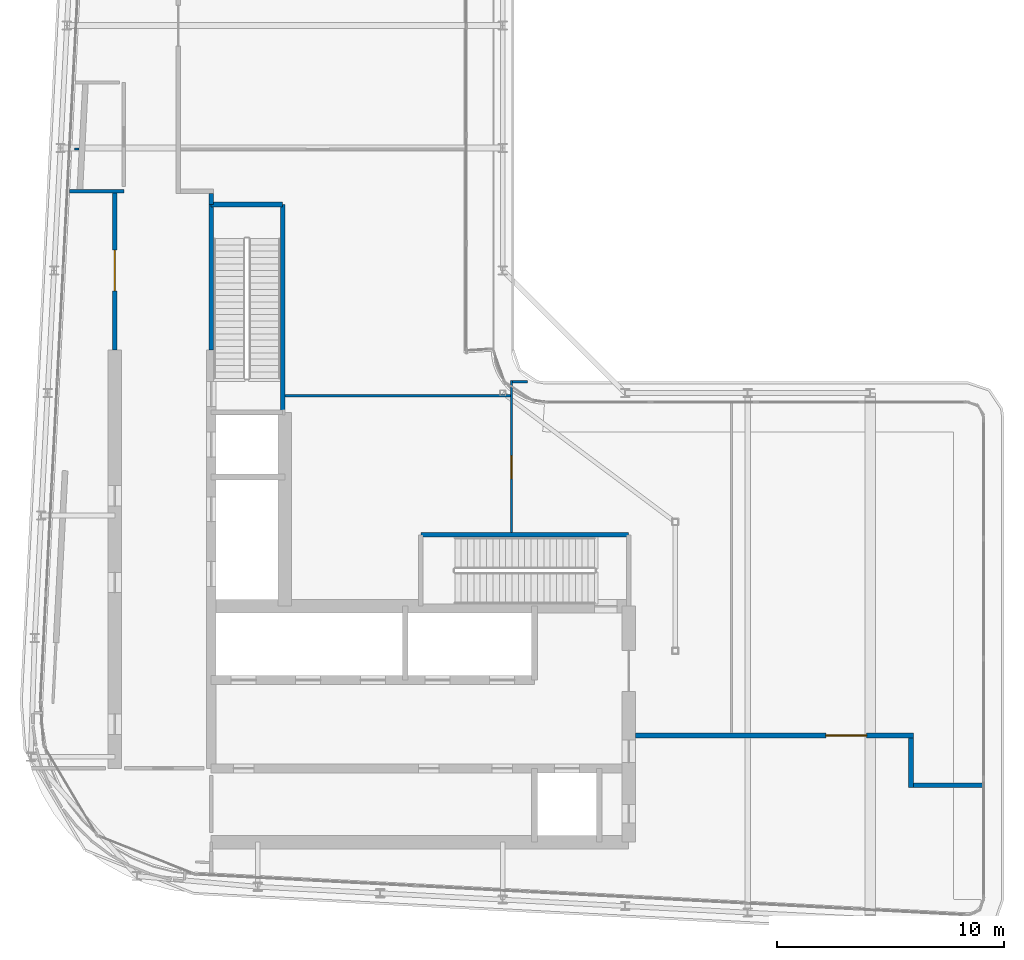
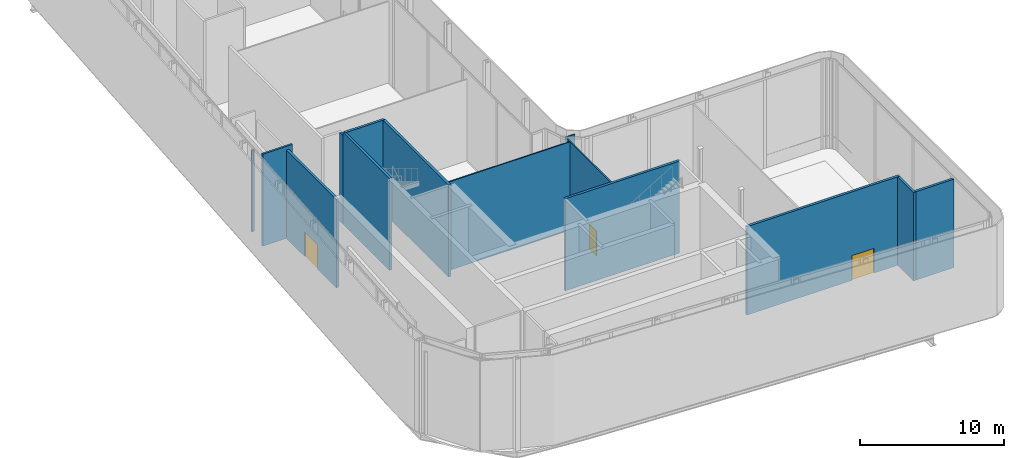
# One storey, part 22 of 28: 14 walls, 3 doors, 3 openings.
"""IFC4 building model written with IfcOpenShell, lengths in metres."""

from ifc_helpers import new_model, si_unit, direction, frame, frame_2d, origin, place, context, subcontext, project, spatial, rectangle, extrude, source, transform, mapped, material, layer, layer_set, type_object, element, fill, save


model = new_model("IFC4")

# Units and contexts
model_context = context("Model", 3, precision=1e-05, world=origin(), true_north=direction((0.0, 1.0)))
body_context = subcontext(model_context, "Body", "Model", "MODEL_VIEW")
ifc_project = project(units=[si_unit("LENGTHUNIT", "METRE"), si_unit("AREAUNIT", "SQUARE_METRE"), si_unit("VOLUMEUNIT", "CUBIC_METRE"), si_unit("PLANEANGLEUNIT", "RADIAN"), si_unit("MASSUNIT", "GRAM", prefix="KILO")], contexts=[model_context])

# Site, building, storey
site_placement = place(None, origin())
site = spatial("IfcSite", under=ifc_project, at=site_placement, CompositionType="ELEMENT")
building_placement = place(site_placement, origin())
building = spatial("IfcBuilding", under=site, at=building_placement, Name="Kheshtan School and Residences Tower", CompositionType="ELEMENT")
storey_placement = place(building_placement, frame((0.0, 0.0, 325.39990234375)))
storey = spatial("IfcBuildingStorey", under=building, at=storey_placement, Name="L77", CompositionType="ELEMENT", Elevation=325.39990234375)

# Wall, opening, door
ifc_material_1 = material(Name="Gypsum board on steel studs with fire boards", Category="steel")
ifc_layer_1 = layer(ifc_material_1, 0.199951171875)
ifc_layer_set_1 = layer_set([ifc_layer_1], Name="Corridor wall 200")
wall_type_1 = type_object("IfcWallType", Name="Corridor wall 200", PredefinedType="PARTITIONING", material=ifc_layer_set_1)
wall_1_placement = place(storey_placement, frame((30.5, 47.5, 0.0), z_axis=(0.0, 0.0, 1.0), x_axis=(0.0, 1.0, 0.0)))
wall_1 = element("IfcWall", 1, at=wall_1_placement, inside=storey, type_object=wall_type_1, Name="Partition L77-018", PredefinedType="PARTITIONING", context=body_context, shape_type="SweptSolid", body=[
    extrude(rectangle(XDim=6.926025390625, YDim=0.199951171875, at=frame_2d((3.462890625, 0.0))), origin(), (0.0, 0.0, 1.0), 7.5),
])
opening_1_placement = place(wall_1_placement, frame((2.60009765625, 0.0, 0.0)))
opening_1 = element("IfcOpeningElement", 2, at=opening_1_placement, cuts=wall_1, Name="Opening D77-003", PredefinedType="OPENING", context=body_context, shape_type="SweptSolid", body=[
    extrude(rectangle(XDim=1.800048828125, YDim=2.10009765625, at=frame_2d((0.89990234375, 1.050048828125))), frame((0.0, 0.10986328125, 0.0), z_axis=(0.0, -1.0, 0.0), x_axis=(1.0, 0.0, 0.0)), (0.0, 0.0, 1.0), 0.219970703125),
])
ifc_material_2 = material(Name="Steel-framed fire-resisting door leaf", Category="steel")
door_type_1 = type_object("IfcDoorType", Name="Fire double door FD60 1800 x 2100", OperationType="DOUBLE_DOOR_SINGLE_SWING", PredefinedType="DOOR", material=ifc_material_2)
shared_shape_1 = source(origin(), body_context, "Body", "SweptSolid", [
    extrude(rectangle(XDim=1.800048828125, YDim=2.10009765625, at=frame_2d((0.89990234375, 1.050048828125))), frame((0.0, 0.02490234375, 0.0), z_axis=(0.0, -1.0, 0.0), x_axis=(1.0, 0.0, 0.0)), (0.0, 0.0, 1.0), 0.050048828125),
])
door_1_placement = place(opening_1_placement, origin())
door_1 = element("IfcDoor", 3, at=door_1_placement, inside=storey, type_object=door_type_1, Name="Door D77-003", OperationType="DOUBLE_DOOR_SINGLE_SWING", OverallHeight=2.10009765625, OverallWidth=1.800048828125, PredefinedType="DOOR", context=body_context, shape_type="MappedRepresentation", body=[
    mapped(shared_shape_1, transform((0.0, 0.0, 0.0), x_axis=(1.0, 0.0, 0.0), y_axis=(0.0, 1.0, 0.0), z_axis=(0.0, 0.0, 1.0), scale=1.0)),
])
fill(opening_1, door_1)

# Wall
wall_2_placement = place(storey_placement, frame((34.75, 53.909912109375, 0.0), z_axis=(0.0, 0.0, 1.0), x_axis=(0.0, 1.0, 0.0)))
element("IfcWall", 4, at=wall_2_placement, inside=storey, type_object=wall_type_1, Name="Partition L77-038", PredefinedType="PARTITIONING", context=body_context, shape_type="SweptSolid", body=[
    extrude(rectangle(XDim=0.489990234375, YDim=0.199951171875, at=frame_2d((0.2451171875, 0.0))), origin(), (0.0, 0.0, 1.0), 7.5),
])

# Wall, opening, door
wall_3_placement = place(storey_placement, frame((53.448974609375, 30.5, 0.0), z_axis=(0.0, 0.0, 1.0), x_axis=(1.0, 0.0, 0.0)))
wall_3 = element("IfcWall", 5, at=wall_3_placement, inside=storey, type_object=wall_type_1, Name="Partition L77-043", PredefinedType="PARTITIONING", context=body_context, shape_type="SweptSolid", body=[
    extrude(rectangle(XDim=12.2509765625, YDim=0.199951171875, at=frame_2d((6.12548828125, 0.0))), origin(), (0.0, 0.0, 1.0), 7.5),
])
opening_2_placement = place(wall_3_placement, frame((8.39306640625, 0.0, 0.0)))
opening_2 = element("IfcOpeningElement", 6, at=opening_2_placement, cuts=wall_3, Name="Opening D77-002", PredefinedType="OPENING", context=body_context, shape_type="SweptSolid", body=[
    extrude(rectangle(XDim=1.800048828125, YDim=2.10009765625, at=frame_2d((0.89990234375, 1.050048828125))), frame((0.0, 0.10986328125, 0.0), z_axis=(0.0, -1.0, 0.0), x_axis=(1.0, 0.0, 0.0)), (0.0, 0.0, 1.0), 0.219970703125),
])
door_2_placement = place(opening_2_placement, origin())
door_2 = element("IfcDoor", 7, at=door_2_placement, inside=storey, type_object=door_type_1, Name="Door D77-002", OperationType="DOUBLE_DOOR_SINGLE_SWING", OverallHeight=2.10009765625, OverallWidth=1.800048828125, PredefinedType="DOOR", context=body_context, shape_type="MappedRepresentation", body=[
    mapped(shared_shape_1, transform((0.0, 0.0, 0.0), x_axis=(1.0, 0.0, 0.0), y_axis=(0.0, 1.0, 0.0), z_axis=(0.0, 0.0, 1.0), scale=1.0)),
])
fill(opening_2, door_2)

# Walls
wall_4_placement = place(storey_placement, frame((65.60009765625, 28.199951171875, 0.0), z_axis=(0.0, 0.0, 1.0), x_axis=(0.0, 1.0, 0.0)))
element("IfcWall", 8, at=wall_4_placement, inside=storey, type_object=wall_type_1, Name="Partition L77-045", PredefinedType="PARTITIONING", context=body_context, shape_type="SweptSolid", body=[
    extrude(rectangle(XDim=2.199951171875, YDim=0.199951171875, at=frame_2d((1.10009765625, 0.0))), origin(), (0.0, 0.0, 1.0), 7.5),
])
wall_5_placement = place(storey_placement, frame((65.699951171875, 28.300048828125, 0.0), z_axis=(0.0, 0.0, 1.0), x_axis=(1.0, 0.0, 0.0)))
element("IfcWall", 9, at=wall_5_placement, inside=storey, type_object=wall_type_1, Name="Partition L77-046", PredefinedType="PARTITIONING", context=body_context, shape_type="SweptSolid", body=[
    extrude(rectangle(XDim=3.070068359375, YDim=0.199951171875, at=frame_2d((1.53515625, 0.0))), origin(), (0.0, 0.0, 1.0), 7.5),
])
ifc_material_3 = material(Name="Gypsum board on steel studs", Category="steel")
ifc_layer_2 = layer(ifc_material_3, 0.10009765625)
ifc_layer_set_2 = layer_set([ifc_layer_2], Name="Gypsum partition 100")
wall_type_2 = type_object("IfcWallType", Name="Gypsum partition 100", PredefinedType="PARTITIONING", material=ifc_layer_set_2)
wall_6_placement = place(storey_placement, frame((28.72412109375, 56.35302734375, 0.0), z_axis=(0.0, 0.0, 1.0), x_axis=(1.0, 0.0, 0.0)))
element("IfcWall", 10, at=wall_6_placement, inside=storey, type_object=wall_type_2, Name="Partition L77-012", PredefinedType="PARTITIONING", context=body_context, shape_type="SweptSolid", body=[
    extrude(rectangle(XDim=0.204833984375, YDim=0.10009765625, at=frame_2d((0.1025390625, 0.0))), origin(), (0.0, 0.0, 1.0), 6.897216796875),
])
wall_7_placement = place(storey_placement, frame((37.9990234375, 45.472900390625, 0.0), z_axis=(0.0, 0.0, 1.0), x_axis=(1.0, 0.0, 0.0)))
element("IfcWall", 11, at=wall_7_placement, inside=storey, type_object=wall_type_2, Name="Partition L77-040", PredefinedType="PARTITIONING", context=body_context, shape_type="SweptSolid", body=[
    extrude(rectangle(XDim=9.94091796875, YDim=0.10009765625, at=frame_2d((4.970458984375, 0.0))), origin(), (0.0, 0.0, 1.0), 7.5),
])

# Wall, opening, door
wall_8_placement = place(storey_placement, frame((47.989990234375, 39.448974609375, 0.0), z_axis=(0.0, 0.0, 1.0), x_axis=(0.0, 1.0, 0.0)))
wall_8 = element("IfcWall", 12, at=wall_8_placement, inside=storey, type_object=wall_type_2, Name="Partition L77-041", PredefinedType="PARTITIONING", context=body_context, shape_type="SweptSolid", body=[
    extrude(rectangle(XDim=6.700927734375, YDim=0.10009765625, at=frame_2d((3.3505859375, 0.0))), origin(), (0.0, 0.0, 1.0), 7.5),
])
opening_3_placement = place(wall_8_placement, frame((2.3740234375, 0.0, 0.0)))
opening_3 = element("IfcOpeningElement", 13, at=opening_3_placement, cuts=wall_8, Name="Opening D77-005", PredefinedType="OPENING", context=body_context, shape_type="SweptSolid", body=[
    extrude(rectangle(XDim=1.0, YDim=2.10009765625, at=frame_2d((0.5, 1.050048828125))), frame((0.0, 0.06005859375, 0.0), z_axis=(0.0, -1.0, 0.0), x_axis=(1.0, 0.0, 0.0)), (0.0, 0.0, 1.0), 0.1201171875),
])
ifc_material_4 = material(Name="Veneered timber door leaf", Category="wood")
door_type_2 = type_object("IfcDoorType", Name="Door 1000 x 2100", OperationType="SINGLE_SWING_LEFT", PredefinedType="DOOR", material=ifc_material_4)
shared_shape_2 = source(origin(), body_context, "Body", "SweptSolid", [
    extrude(rectangle(XDim=1.0, YDim=2.10009765625, at=frame_2d((0.5, 1.050048828125))), frame((0.0, 0.02490234375, 0.0), z_axis=(0.0, -1.0, 0.0), x_axis=(1.0, 0.0, 0.0)), (0.0, 0.0, 1.0), 0.050048828125),
])
door_3_placement = place(opening_3_placement, origin())
door_3 = element("IfcDoor", 14, at=door_3_placement, inside=storey, type_object=door_type_2, Name="Door D77-005", OperationType="SINGLE_SWING_RIGHT", OverallHeight=2.10009765625, OverallWidth=1.0, PredefinedType="DOOR", context=body_context, shape_type="MappedRepresentation", body=[
    mapped(shared_shape_2, transform((0.0, 0.0, 0.0), x_axis=(1.0, 0.0, 0.0), y_axis=(0.0, 1.0, 0.0), z_axis=(0.0, 0.0, 1.0), scale=1.0)),
])
fill(opening_3, door_3)

# Walls
wall_9_placement = place(storey_placement, frame((48.0400390625, 46.10009765625, 0.0), z_axis=(0.0, 0.0, 1.0), x_axis=(1.0, 0.0, 0.0)))
element("IfcWall", 15, at=wall_9_placement, inside=storey, type_object=wall_type_2, Name="Partition L77-042", PredefinedType="PARTITIONING", context=body_context, shape_type="SweptSolid", body=[
    extrude(rectangle(XDim=0.64404296875, YDim=0.10009765625, at=frame_2d((0.322021484375, 0.0))), origin(), (0.0, 0.0, 1.0), 7.5),
])
ifc_material_5 = material(Name="Fire-board shaft wall system")
ifc_layer_3 = layer(ifc_material_5, 0.14990234375)
ifc_layer_set_3 = layer_set([ifc_layer_3], Name="Service room wall 150")
wall_type_3 = type_object("IfcWallType", Name="Service room wall 150", PredefinedType="PARTITIONING", material=ifc_layer_set_3)
wall_10_placement = place(storey_placement, frame((28.508056640625, 54.5, 0.0), z_axis=(0.0, 0.0, 1.0), x_axis=(1.0, 0.0, 0.0)))
element("IfcWall", 16, at=wall_10_placement, inside=storey, type_object=wall_type_3, Name="Service room wall", PredefinedType="PARTITIONING", context=body_context, shape_type="SweptSolid", body=[
    extrude(rectangle(XDim=2.391845703125, YDim=0.14990234375, at=frame_2d((1.19580078125, 0.0))), origin(), (0.0, 0.0, 1.0), 7.800048828125),
])
ifc_material_6 = material(Name="Concrete C40/50", Category="concrete")
ifc_layer_4 = layer(ifc_material_6, 0.199951171875)
ifc_layer_set_4 = layer_set([ifc_layer_4], Name="Stair enclosure wall 200 Concrete C40/50")
wall_type_4 = type_object("IfcWallType", Name="Stair enclosure wall 200 Concrete C40/50", PredefinedType="SHEAR", material=ifc_layer_set_4)
wall_11_placement = place(storey_placement, frame((43.989990234375, 39.35009765625, 0.0), z_axis=(0.0, 0.0, 1.0), x_axis=(1.0, 0.0, 0.0)))
element("IfcWall", 17, at=wall_11_placement, inside=storey, type_object=wall_type_4, Name="Stair enclosure wall ST1", PredefinedType="SHEAR", context=body_context, shape_type="SweptSolid", body=[
    extrude(rectangle(XDim=9.159912109375, YDim=0.199951171875, at=frame_2d((4.580078125, 0.0))), origin(), (0.0, 0.0, 1.0), 7.800048828125),
])
wall_12_placement = place(storey_placement, frame((34.75, 53.909912109375, 0.0), z_axis=(0.0, 0.0, 1.0), x_axis=(1.0, 0.0, 0.0)))
element("IfcWall", 18, at=wall_12_placement, inside=storey, type_object=wall_type_4, Name="Stair enclosure wall ST2", PredefinedType="SHEAR", context=body_context, shape_type="SweptSolid", body=[
    extrude(rectangle(XDim=3.14990234375, YDim=0.199951171875, at=frame_2d((1.574951171875, 0.0))), origin(), (0.0, 0.0, 1.0), 7.800048828125),
])
wall_13_placement = place(storey_placement, frame((34.75, 47.5, 0.0), z_axis=(0.0, 0.0, 1.0), x_axis=(0.0, 1.0, 0.0)))
element("IfcWall", 19, at=wall_13_placement, inside=storey, type_object=wall_type_4, Name="Stair enclosure wall ST2", PredefinedType="SHEAR", context=body_context, shape_type="SweptSolid", body=[
    extrude(rectangle(XDim=6.409912109375, YDim=0.199951171875, at=frame_2d((3.205078125, 0.0))), origin(), (0.0, 0.0, 1.0), 7.800048828125),
])
wall_14_placement = place(storey_placement, frame((37.89990234375, 44.75, 0.0), z_axis=(0.0, 0.0, 1.0), x_axis=(0.0, 1.0, 0.0)))
element("IfcWall", 20, at=wall_14_placement, inside=storey, type_object=wall_type_4, Name="Stair enclosure wall ST2", PredefinedType="SHEAR", context=body_context, shape_type="SweptSolid", body=[
    extrude(rectangle(XDim=9.159912109375, YDim=0.199951171875, at=frame_2d((4.580078125, 0.0))), origin(), (0.0, 0.0, 1.0), 7.800048828125),
])

save(model, "model.ifc")
